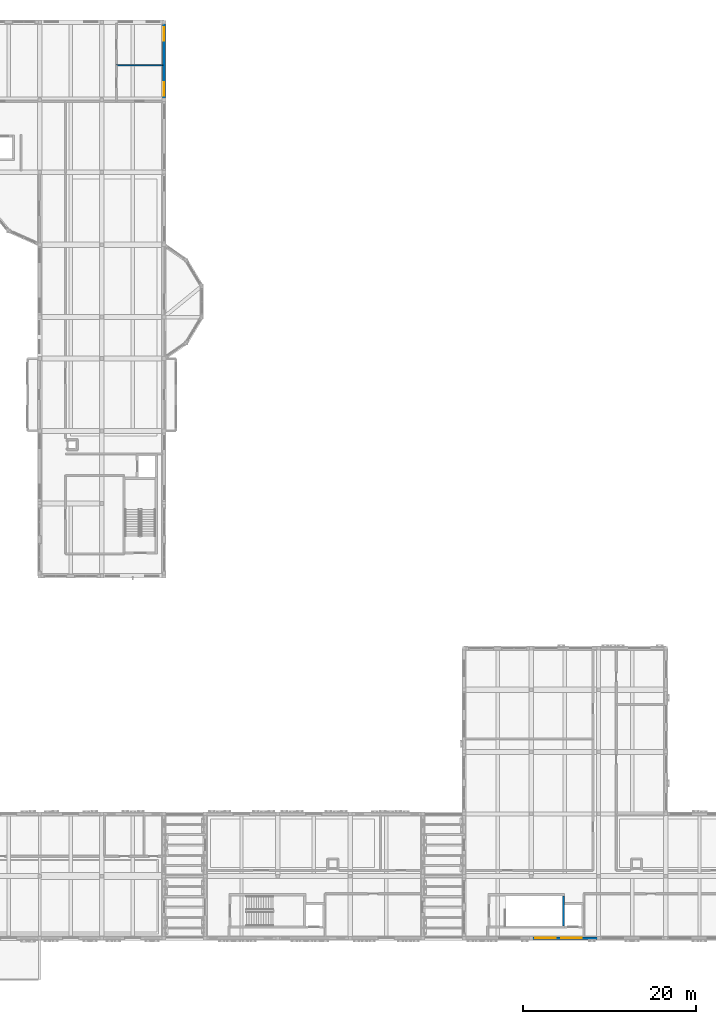
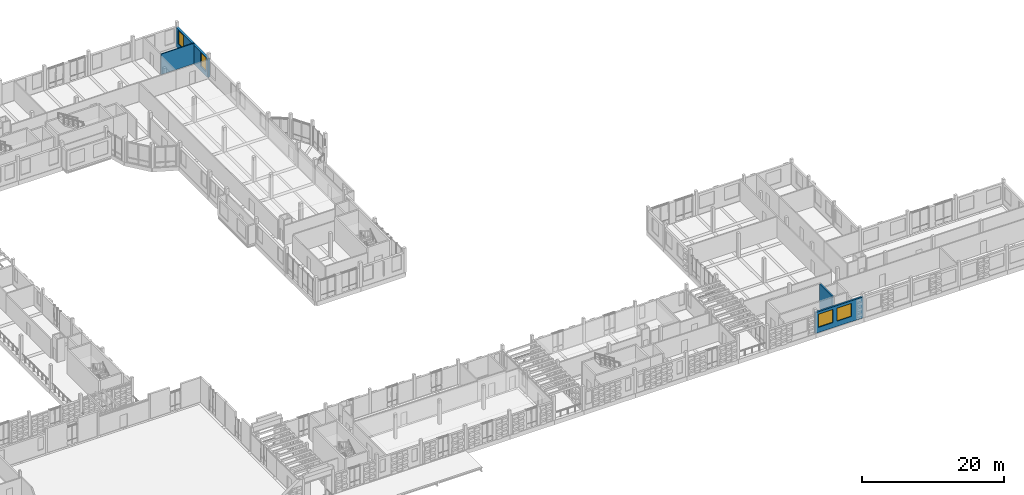
# One storey, part 74 of 99: 4 walls, 4 windows, 4 openings.
"""IFC4 building model written with IfcOpenShell, lengths in metres."""

from ifc_helpers import new_model, si_unit, direction, frame, frame_2d, origin, place, context, subcontext, project, spatial, rectangle, extrude, material, layer, layer_set, type_object, element, fill, save


model = new_model("IFC4")

# Units and contexts
model_context = context("Model", 3, precision=1e-05, world=origin(), true_north=direction((0.0, 1.0)))
body_context = subcontext(model_context, "Body", "Model", "MODEL_VIEW")
ifc_project = project(units=[si_unit("LENGTHUNIT", "METRE"), si_unit("AREAUNIT", "SQUARE_METRE"), si_unit("VOLUMEUNIT", "CUBIC_METRE"), si_unit("PLANEANGLEUNIT", "RADIAN"), si_unit("MASSUNIT", "GRAM", prefix="KILO")], contexts=[model_context])

# Site, building, storey
site_placement = place(None, origin())
site = spatial("IfcSite", under=ifc_project, at=site_placement, CompositionType="ELEMENT")
building_placement = place(site_placement, origin())
building = spatial("IfcBuilding", under=site, at=building_placement, Name="Kahlenmark Community Centre", CompositionType="ELEMENT")
storey_placement = place(building_placement, frame((0.0, 0.0, 5.39990234375)))
storey = spatial("IfcBuildingStorey", under=building, at=storey_placement, Name="L01", CompositionType="ELEMENT", Elevation=5.39990234375)

# Wall
ifc_material_1 = material(Name="Concrete C35/45", Category="concrete")
ifc_layer_1 = layer(ifc_material_1, 0.25)
ifc_layer_set_1 = layer_set([ifc_layer_1], Name="Concrete C35/45")
wall_type_1 = type_object("IfcWallType", Name="WT-CORE-250", PredefinedType="SHEAR", material=ifc_layer_set_1)
wall_1_placement = place(storey_placement, frame((133.125, 10.199951171875, 0.0), z_axis=(0.0, 0.0, 1.0), x_axis=(0.0, 1.0, 0.0)))
element("IfcWall", 1, at=wall_1_placement, inside=storey, type_object=wall_type_1, Name="Core K8 shear wall WL-CORE-K8-L01-0298", PredefinedType="SHEAR", context=body_context, shape_type="SweptSolid", body=[
    extrude(rectangle(XDim=3.5, YDim=0.25, at=frame_2d((1.75, 0.0))), origin(), (0.0, 0.0, 1.0), 4.2001953125),
])

# Wall, openings, windows
ifc_material_2 = material(Name="Cross-laminated timber CLT C24", Category="wood")
ifc_layer_2 = layer(ifc_material_2, 0.300048828125)
ifc_layer_set_2 = layer_set([ifc_layer_2], Name="Cross-laminated timber CLT C24")
wall_type_2 = type_object("IfcWallType", Name="WT-EW-300", PredefinedType="SOLIDWALL", material=ifc_layer_set_2)
wall_2_placement = place(storey_placement, frame((129.39990234375, 8.800048828125, 0.0), z_axis=(0.0, 0.0, 1.0), x_axis=(1.0, 0.0, 0.0)))
wall_2 = element("IfcWall", 2, at=wall_2_placement, inside=storey, type_object=wall_type_2, Name="Exterior wall WL-EXT-L01-0383", PredefinedType="SOLIDWALL", context=body_context, shape_type="SweptSolid", body=[
    extrude(rectangle(XDim=7.800048828125, YDim=0.300048828125, at=frame_2d((3.89990234375, 0.0))), origin(), (0.0, 0.0, 1.0), 3.590087890625),
])
opening_1_placement = place(wall_2_placement, frame((0.4599609375, 0.0, 0.89990234375)))
opening_1 = element("IfcOpeningElement", 3, at=opening_1_placement, cuts=wall_2, Name="Opening W-240X225", PredefinedType="OPENING", context=body_context, shape_type="SweptSolid", body=[
    extrude(rectangle(XDim=2.39990234375, YDim=2.25, at=frame_2d((1.199951171875, 1.125))), frame((0.0, 0.159912109375, 0.0), z_axis=(0.0, -1.0, 0.0), x_axis=(1.0, 0.0, 0.0)), (0.0, 0.0, 1.0), 0.320068359375),
])
opening_2_placement = place(wall_2_placement, frame((3.4599609375, 0.0, 0.89990234375)))
opening_2 = element("IfcOpeningElement", 4, at=opening_2_placement, cuts=wall_2, Name="Opening W-240X225", PredefinedType="OPENING", context=body_context, shape_type="SweptSolid", body=[
    extrude(rectangle(XDim=2.39990234375, YDim=2.25, at=frame_2d((1.199951171875, 1.125))), frame((0.0, 0.159912109375, 0.0), z_axis=(0.0, -1.0, 0.0), x_axis=(1.0, 0.0, 0.0)), (0.0, 0.0, 1.0), 0.320068359375),
])
ifc_material_3 = material(Name="Triple low-e insulated glazing in timber-aluminium frame", Category="wood")
window_type_1 = type_object("IfcWindowType", Name="WNT-240X225", PartitioningType="TRIPLE_PANEL_VERTICAL", PredefinedType="WINDOW", material=ifc_material_3)
window_1_placement = place(opening_1_placement, origin())
window_1 = element("IfcWindow", 5, at=window_1_placement, inside=storey, type_object=window_type_1, Name="Window W-240X225 #0234", OverallHeight=2.25, OverallWidth=2.39990234375, PartitioningType="TRIPLE_PANEL_VERTICAL", PredefinedType="WINDOW", context=body_context, shape_type="SweptSolid", body=[
    extrude(rectangle(XDim=2.39990234375, YDim=2.25, at=frame_2d((1.199951171875, 1.125))), frame((0.0, 0.030029296875, 0.0), z_axis=(0.0, -1.0, 0.0), x_axis=(1.0, 0.0, 0.0)), (0.0, 0.0, 1.0), 0.06005859375),
])
fill(opening_1, window_1)
window_2_placement = place(opening_2_placement, origin())
window_2 = element("IfcWindow", 6, at=window_2_placement, inside=storey, type_object=window_type_1, Name="Window W-240X225 #0235", OverallHeight=2.25, OverallWidth=2.39990234375, PartitioningType="TRIPLE_PANEL_VERTICAL", PredefinedType="WINDOW", context=body_context, shape_type="SweptSolid", body=[
    extrude(rectangle(XDim=2.39990234375, YDim=2.25, at=frame_2d((1.199951171875, 1.125))), frame((0.0, 0.030029296875, 0.0), z_axis=(0.0, -1.0, 0.0), x_axis=(1.0, 0.0, 0.0)), (0.0, 0.0, 1.0), 0.06005859375),
])
fill(opening_2, window_2)

ifc_material_4 = material(Name="Danube limestone masonry", Category="masonry")
ifc_layer_3 = layer(ifc_material_4, 0.360107421875)
ifc_layer_set_3 = layer_set([ifc_layer_3], Name="Danube limestone masonry")
wall_type_3 = type_object("IfcWallType", Name="WT-EW-360", PredefinedType="SOLIDWALL", material=ifc_layer_set_3)
wall_3_placement = place(storey_placement, frame((86.800048828125, 106.0, 0.0), z_axis=(0.0, 0.0, 1.0), x_axis=(0.0, 1.0, 0.0)))
wall_3 = element("IfcWall", 7, at=wall_3_placement, inside=storey, type_object=wall_type_3, Name="Exterior wall WL-EXT-L01-0352", PredefinedType="SOLIDWALL", context=body_context, shape_type="SweptSolid", body=[
    extrude(rectangle(XDim=9.0, YDim=0.360107421875, at=frame_2d((4.5, 0.0))), origin(), (0.0, 0.0, 1.0), 3.25),
])
opening_3_placement = place(wall_3_placement, frame((0.4599609375, 0.0, 0.75)))
opening_3 = element("IfcOpeningElement", 8, at=opening_3_placement, cuts=wall_3, Name="Opening W-155X236", PredefinedType="OPENING", context=body_context, shape_type="SweptSolid", body=[
    extrude(rectangle(XDim=1.550048828125, YDim=2.360107421875, at=frame_2d((0.77490234375, 1.18017578125))), frame((0.0, 0.18994140625, 0.0), z_axis=(0.0, -1.0, 0.0), x_axis=(1.0, 0.0, 0.0)), (0.0, 0.0, 1.0), 0.380126953125),
])
opening_4_placement = place(wall_3_placement, frame((6.860107421875, 0.0, 0.75)))
opening_4 = element("IfcOpeningElement", 9, at=opening_4_placement, cuts=wall_3, Name="Opening W-155X236", PredefinedType="OPENING", context=body_context, shape_type="SweptSolid", body=[
    extrude(rectangle(XDim=1.550048828125, YDim=2.360107421875, at=frame_2d((0.77490234375, 1.18017578125))), frame((0.0, 0.18994140625, 0.0), z_axis=(0.0, -1.0, 0.0), x_axis=(1.0, 0.0, 0.0)), (0.0, 0.0, 1.0), 0.380126953125),
])
ifc_material_5 = material(Name="Deep-reveal limestone punched triple glazing", Category="masonry")
window_type_2 = type_object("IfcWindowType", Name="WNT-155X236", PartitioningType="DOUBLE_PANEL_HORIZONTAL", PredefinedType="WINDOW", material=ifc_material_5)
window_3_placement = place(opening_3_placement, origin())
window_3 = element("IfcWindow", 10, at=window_3_placement, inside=storey, type_object=window_type_2, Name="Window W-155X236 #0211", OverallHeight=2.360107421875, OverallWidth=1.550048828125, PartitioningType="DOUBLE_PANEL_HORIZONTAL", PredefinedType="WINDOW", context=body_context, shape_type="SweptSolid", body=[
    extrude(rectangle(XDim=1.550048828125, YDim=2.360107421875, at=frame_2d((0.77490234375, 1.18017578125))), frame((0.0, 0.030029296875, 0.0), z_axis=(0.0, -1.0, 0.0), x_axis=(1.0, 0.0, 0.0)), (0.0, 0.0, 1.0), 0.06005859375),
])
fill(opening_3, window_3)
window_4_placement = place(opening_4_placement, origin())
window_4 = element("IfcWindow", 11, at=window_4_placement, inside=storey, type_object=window_type_2, Name="Window W-155X236 #0212", OverallHeight=2.360107421875, OverallWidth=1.550048828125, PartitioningType="DOUBLE_PANEL_HORIZONTAL", PredefinedType="WINDOW", context=body_context, shape_type="SweptSolid", body=[
    extrude(rectangle(XDim=1.550048828125, YDim=2.360107421875, at=frame_2d((0.77490234375, 1.18017578125))), frame((0.0, 0.030029296875, 0.0), z_axis=(0.0, -1.0, 0.0), x_axis=(1.0, 0.0, 0.0)), (0.0, 0.0, 1.0), 0.06005859375),
])
fill(opening_4, window_4)

# Wall
ifc_material_6 = material(Name="Gypsum plasterboard partition", Category="gypsum")
ifc_layer_4 = layer(ifc_material_6, 0.14990234375)
ifc_layer_set_4 = layer_set([ifc_layer_4], Name="Gypsum plasterboard partition")
wall_type_4 = type_object("IfcWallType", Name="WT-PW-150", PredefinedType="PARTITIONING", material=ifc_layer_set_4)
wall_4_placement = place(storey_placement, frame((81.300048828125, 110.0, 0.0), z_axis=(0.0, 0.0, 1.0), x_axis=(1.0, 0.0, 0.0)))
element("IfcWall", 12, at=wall_4_placement, inside=storey, type_object=wall_type_4, Name="Interior partition WL-INT-L01-0154", PredefinedType="PARTITIONING", context=body_context, shape_type="SweptSolid", body=[
    extrude(rectangle(XDim=5.35986328125, YDim=0.14990234375, at=frame_2d((2.679931640625, 0.0))), origin(), (0.0, 0.0, 1.0), 3.52001953125),
])

save(model, "model.ifc")
